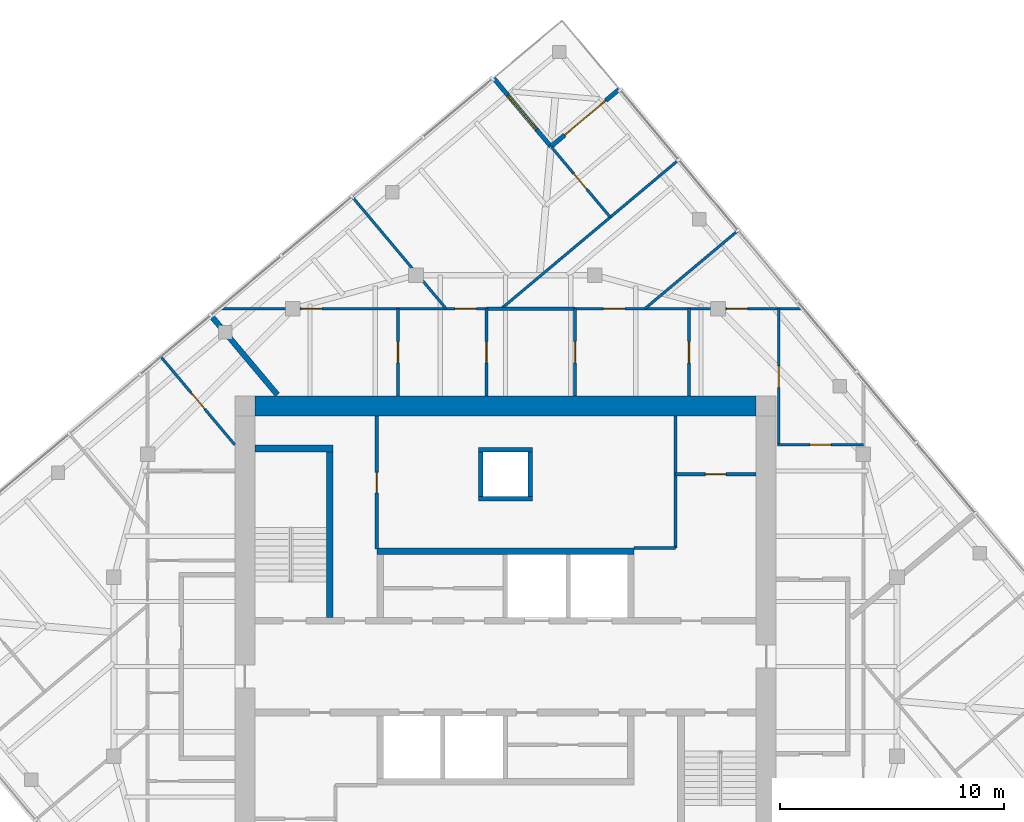
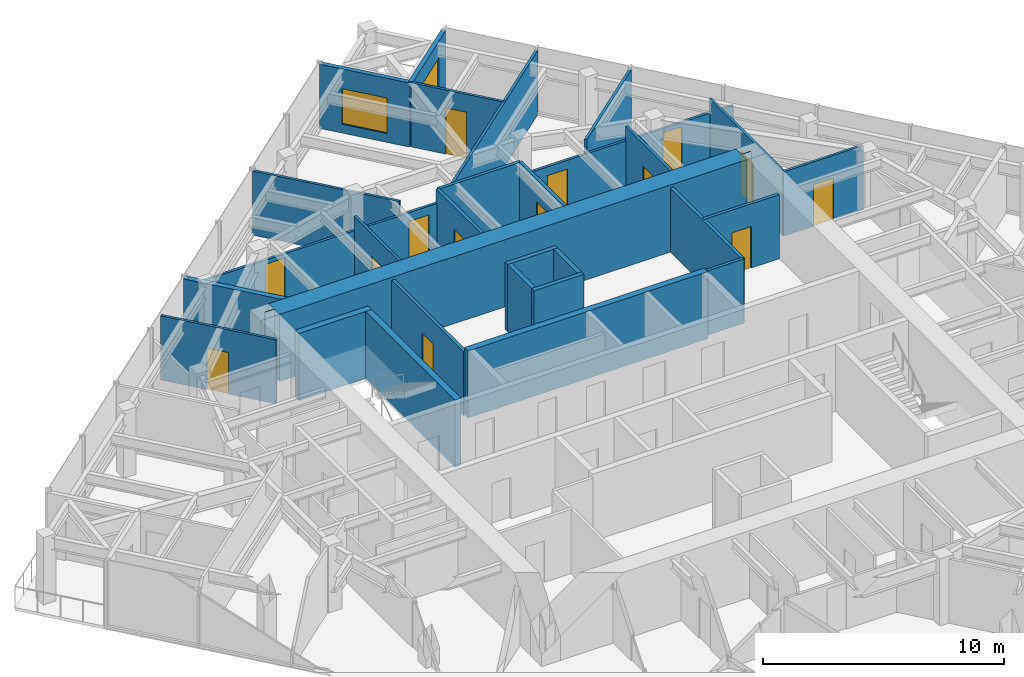
# One storey, part 10 of 12: 29 walls, 15 doors, 1 window, 16 openings.
"""IFC4 building model written with IfcOpenShell, lengths in metres."""

import ifcopenshell
import ifcopenshell.guid

model = None  # the IFC model being written
_history = None  # IfcOwnerHistory: only IFC2X3 demands one
_inside = {}  # id of a spatial element -> (the spatial element, [elements in it])
_under = {}  # id of a project, library or spatial element -> (it, [spatial elements below it])
_declared = {}  # id of a project -> (the project, [libraries it declares])
_typed = {}  # id of a type object -> (the type object, [elements of that type])
_made_of = {}  # id of a material, layer set ... -> (it, [elements and type objects made of it])


def new_model(schema):
    """Start an empty IFC model of exactly this schema.

    Asked for "IFC4X3", IfcOpenShell would pick the latest addendum, in which some entities
    have other attributes; the version numbers below select the first issue.
    IFC2X3 requires an IfcOwnerHistory on every rooted entity: one is made here for all.
    """
    global model, _history
    if schema == "IFC4X3":
        model = ifcopenshell.file(schema_version=(4, 3, 0, 0))
    else:
        model = ifcopenshell.file(schema=schema)
    _inside.clear()
    _under.clear()
    _declared.clear()
    _typed.clear()
    _made_of.clear()
    _history = None
    if model.schema == "IFC2X3":
        org = make("IfcOrganization", Name="unknown")
        user = make(
            "IfcPersonAndOrganization",
            ThePerson=make("IfcPerson", FamilyName="unknown"),
            TheOrganization=org,
        )
        app = make(
            "IfcApplication",
            ApplicationDeveloper=org,
            Version="unknown",
            ApplicationFullName="unknown",
            ApplicationIdentifier="unknown",
        )
        _history = make(
            "IfcOwnerHistory",
            OwningUser=user,
            OwningApplication=app,
            ChangeAction="ADDED",
            CreationDate=0,
        )
    return model


def make(cls, **values):
    """One entity of the class cls with the attributes given. An attribute that is None is left unset."""
    return model.create_entity(
        cls, **{name: value for name, value in values.items() if value is not None}
    )


def rooted(cls, **values):
    """An entity with a GlobalId (a new one), such as an element, a storey or a relation."""
    return make(cls, GlobalId=ifcopenshell.guid.new(), OwnerHistory=_history, **values)


def si_unit(unit_type, name, prefix=None):
    """IfcSIUnit, for example si_unit("LENGTHUNIT", "METRE", prefix="MILLI")."""
    return make("IfcSIUnit", UnitType=unit_type, Prefix=prefix, Name=name)


def assignment(units):
    """IfcUnitAssignment: the units of a project."""
    return None if units is None else make("IfcUnitAssignment", Units=units)


def point(xyz):
    """IfcCartesianPoint."""
    return None if xyz is None else make("IfcCartesianPoint", Coordinates=xyz)


def direction(xyz):
    """IfcDirection."""
    return None if xyz is None else make("IfcDirection", DirectionRatios=xyz)


def frame(location, z_axis=None, x_axis=None):
    """IfcAxis2Placement3D, a coordinate frame: its origin and axes. An axis left out is left unset."""
    return make(
        "IfcAxis2Placement3D",
        Location=point(location),
        Axis=direction(z_axis),
        RefDirection=direction(x_axis),
    )


def frame_2d(location, x_axis=None):
    """IfcAxis2Placement2D, a coordinate frame in the plane: its origin and x axis."""
    return make(
        "IfcAxis2Placement2D", Location=point(location), RefDirection=direction(x_axis)
    )


def origin():
    """The frame at (0, 0, 0) with its axes left unset."""
    return frame((0.0, 0.0, 0.0))


def place(relative_to, where):
    """IfcLocalPlacement: puts the frame where relative to a parent placement (None: the world)."""
    return make(
        "IfcLocalPlacement", PlacementRelTo=relative_to, RelativePlacement=where
    )


def context(
    kind, dimensions, precision=None, world=None, true_north=None, identifier=None
):
    """IfcGeometricRepresentationContext, for example the 3D "Model" context."""
    return make(
        "IfcGeometricRepresentationContext",
        ContextIdentifier=identifier,
        ContextType=kind,
        CoordinateSpaceDimension=dimensions,
        Precision=precision,
        WorldCoordinateSystem=world,
        TrueNorth=true_north,
    )


def subcontext(parent, identifier, kind, view, scale=None):
    """IfcGeometricRepresentationSubContext, for example "Body" below "Model"."""
    return make(
        "IfcGeometricRepresentationSubContext",
        ContextIdentifier=identifier,
        ContextType=kind,
        ParentContext=parent,
        TargetScale=scale,
        TargetView=view,
    )


def project(units=None, contexts=None):
    """IfcProject with its units and contexts."""
    return rooted(
        "IfcProject",
        Name="project",
        RepresentationContexts=contexts,
        UnitsInContext=assignment(units),
    )


def spatial(cls, under=None, at=None, **own):
    """A site, building, storey or space (cls), placed at a placement, below another one or the project."""
    s = rooted(cls, ObjectPlacement=at, **own)
    if under is not None:
        _under.setdefault(under.id(), (under, []))[1].append(s)
    return s


def polyline(points):
    """IfcPolyline through the points."""
    return make("IfcPolyline", Points=[point(p) for p in points])


def profile(cls, at=None, kind="AREA", **sizes):
    """A parametric profile (cls). Its sizes go by their IFC names, for example OverallWidth=200.0."""
    return make(cls, ProfileType=kind, Position=at, **sizes)


def rectangle(**sizes):
    """IfcRectangleProfileDef."""
    return profile("IfcRectangleProfileDef", **sizes)


def outline(outer, holes=None, kind="AREA"):
    """IfcArbitraryClosedProfileDef: a profile drawn as a closed curve; with holes, ...WithVoids."""
    if holes is None:
        return make("IfcArbitraryClosedProfileDef", ProfileType=kind, OuterCurve=outer)
    return make(
        "IfcArbitraryProfileDefWithVoids",
        ProfileType=kind,
        OuterCurve=outer,
        InnerCurves=holes,
    )


def extrude(swept, where, along, depth):
    """IfcExtrudedAreaSolid: the profile swept, set in the frame where, extruded along a direction by depth."""
    return make(
        "IfcExtrudedAreaSolid",
        SweptArea=swept,
        Position=where,
        ExtrudedDirection=direction(along),
        Depth=depth,
    )


def shape(context_of_items, identifier, shape_type, items):
    """IfcShapeRepresentation: the items that make up one representation, for example the "Body"."""
    return make(
        "IfcShapeRepresentation",
        ContextOfItems=context_of_items,
        RepresentationIdentifier=identifier,
        RepresentationType=shape_type,
        Items=items,
    )


def material(Name=None, Category=None):
    """IfcMaterial."""
    return make("IfcMaterial", Name=Name, Category=Category)


def layer(
    of_material, thickness, ventilated=None, Name=None, Category=None, Priority=None
):
    """IfcMaterialLayer: one layer of a wall or slab, of a material (None: an air gap)."""
    return make(
        "IfcMaterialLayer",
        Material=of_material,
        LayerThickness=thickness,
        IsVentilated=ventilated,
        Name=Name,
        Category=Category,
        Priority=Priority,
    )


def layer_set(layers, Name=None):
    """IfcMaterialLayerSet."""
    return make("IfcMaterialLayerSet", MaterialLayers=layers, LayerSetName=Name)


def made_of(thing, what):
    """Note that an element or type object is made of a material, layer set ...; save() writes the relation."""
    if what is not None:
        _made_of.setdefault(what.id(), (what, []))[1].append(thing)
    return thing


def type_object(cls, material=None, **own):
    """A type object (cls), such as IfcWallType, which elements share."""
    return made_of(rooted(cls, **own), material)


def element(
    cls,
    number,
    at=None,
    inside=None,
    cuts=None,
    type_object=None,
    material=None,
    context=None,
    identifier="Body",
    shape_type=None,
    held_by="IfcProductDefinitionShape",
    body=None,
    shapes=None,
    **own,
):
    """One element of the class cls, such as IfcWall. Its Tag is "e" and its number.

    at: its placement. inside: the storey or other place that contains it. cuts: it is an
    opening in that element (IfcRelVoidsElement). A single representation is given by context,
    identifier, shape_type and body (its items); several are given by shapes. held_by: the class
    of the entity that holds the representations. save() writes the other relations.
    """
    e = rooted(cls, Tag="e%d" % number, ObjectPlacement=at, **own)
    if body is not None:
        shapes = [shape(context, identifier, shape_type, body)]
    if shapes is not None:
        e.Representation = make(held_by, Representations=shapes)
    if inside is not None:
        _inside.setdefault(inside.id(), (inside, []))[1].append(e)
    if cuts is not None:
        rooted(
            "IfcRelVoidsElement", RelatingBuildingElement=cuts, RelatedOpeningElement=e
        )
    if type_object is not None:
        _typed.setdefault(type_object.id(), (type_object, []))[1].append(e)
    return made_of(e, material)


def fill(opening, filler):
    """IfcRelFillsElement: the door or window that sits in an opening."""
    return rooted(
        "IfcRelFillsElement",
        RelatingOpeningElement=opening,
        RelatedBuildingElement=filler,
    )


def aggregate(whole, parts):
    """IfcRelAggregates: a whole, such as a stair, and the parts it consists of."""
    return rooted("IfcRelAggregates", RelatingObject=whole, RelatedObjects=parts)


def save(model, path):
    """Write the relations noted so far, then the file.

    IfcRelAggregates (storeys below a building ...), IfcRelContainedInSpatialStructure (elements
    in a storey), IfcRelDefinesByType, IfcRelAssociatesMaterial and IfcRelDeclares: one each for
    every whole, place, type object, material and project.
    """
    for whole, parts in _under.values():
        aggregate(whole, parts)
    for where, things in _inside.values():
        rooted(
            "IfcRelContainedInSpatialStructure",
            RelatedElements=things,
            RelatingStructure=where,
        )
    for kind, things in _typed.values():
        rooted("IfcRelDefinesByType", RelatedObjects=things, RelatingType=kind)
    for what, things in _made_of.values():
        rooted("IfcRelAssociatesMaterial", RelatedObjects=things, RelatingMaterial=what)
    for by, libraries in _declared.values():
        rooted("IfcRelDeclares", RelatingContext=by, RelatedDefinitions=libraries)
    model.write(path)


model = new_model("IFC4")

# Units and contexts
model_context = context("Model", 3, precision=1e-05, world=origin(), true_north=direction((0.0, 1.0)))
body_context = subcontext(model_context, "Body", "Model", "MODEL_VIEW")
ifc_project = project(units=[si_unit("LENGTHUNIT", "METRE"), si_unit("AREAUNIT", "SQUARE_METRE"), si_unit("VOLUMEUNIT", "CUBIC_METRE"), si_unit("PLANEANGLEUNIT", "RADIAN"), si_unit("MASSUNIT", "GRAM", prefix="KILO")], contexts=[model_context])

# Site, building, storey
site_placement = place(None, origin())
site = spatial("IfcSite", under=ifc_project, at=site_placement, CompositionType="ELEMENT")
building_placement = place(site_placement, origin())
building = spatial("IfcBuilding", under=site, at=building_placement, Name="Torsade Residences", CompositionType="ELEMENT")
storey_placement = place(building_placement, frame((0.0, 0.0, 289.60009765625)))
storey = spatial("IfcBuildingStorey", under=building, at=storey_placement, Name="L80", CompositionType="ELEMENT", Elevation=289.60009765625)

# Walls
ifc_material_1 = material(Name="Concrete 80 MPa", Category="concrete")
ifc_layer_1 = layer(ifc_material_1, 0.300048828125)
ifc_layer_set_1 = layer_set([ifc_layer_1], Name="Concrete 80 MPa")
wall_type_1 = type_object("IfcWallType", Name="CORE INTERNAL WALL 300", PredefinedType="SHEAR", material=ifc_layer_set_1)
wall_1_placement = place(storey_placement, frame((34.25, 35.14990234375, 0.0), z_axis=(0.0, 0.0, 1.0), x_axis=(1.0, 0.0, 0.0)))
element("IfcWall", 1, at=wall_1_placement, inside=storey, type_object=wall_type_1, Name="Core wall BN L80", PredefinedType="SHEAR", context=body_context, shape_type="SweptSolid", body=[
    extrude(rectangle(XDim=11.5, YDim=0.300048828125, at=frame_2d((5.75, 0.0))), origin(), (0.0, 0.0, 1.0), 3.39990234375),
])
wall_2_placement = place(storey_placement, frame((32.14990234375, 32.199951171875, 0.0), z_axis=(0.0, 0.0, 1.0), x_axis=(0.0, 1.0, 0.0)))
element("IfcWall", 2, at=wall_2_placement, inside=storey, type_object=wall_type_1, Name="Core wall ST1E L80", PredefinedType="SHEAR", context=body_context, shape_type="SweptSolid", body=[
    extrude(rectangle(XDim=7.699951171875, YDim=0.300048828125, at=frame_2d((3.85009765625, 0.0))), origin(), (0.0, 0.0, 1.0), 3.39990234375),
])
wall_3_placement = place(storey_placement, frame((28.800048828125, 39.75, 0.0), z_axis=(0.0, 0.0, 1.0), x_axis=(1.0, 0.0, 0.0)))
element("IfcWall", 3, at=wall_3_placement, inside=storey, type_object=wall_type_1, Name="Core wall ST1N L80", PredefinedType="SHEAR", context=body_context, shape_type="SweptSolid", body=[
    extrude(rectangle(XDim=3.5, YDim=0.300048828125, at=frame_2d((1.75, 0.0))), origin(), (0.0, 0.0, 1.0), 3.39990234375),
])
ifc_material_2 = material(Name="Concrete 80 MPa", Category="concrete")
ifc_layer_2 = layer(ifc_material_2, 0.89990234375)
ifc_layer_set_2 = layer_set([ifc_layer_2], Name="Concrete 80 MPa")
wall_type_2 = type_object("IfcWallType", Name="CORE WALL 900", PredefinedType="SHEAR", material=ifc_layer_set_2)
wall_4_placement = place(storey_placement, frame((28.800048828125, 41.64990234375, 0.0), z_axis=(0.0, 0.0, 1.0), x_axis=(1.0, 0.0, 0.0)))
element("IfcWall", 4, at=wall_4_placement, inside=storey, type_object=wall_type_2, Name="Core wall N L80", PredefinedType="SHEAR", context=body_context, shape_type="SweptSolid", body=[
    extrude(outline(polyline([(0.0, -0.449951171875), (22.39990234375, -0.449951171875), (22.39990234375, -0.02490234375), (22.849853515625, -0.02490234375), (22.849853515625, 0.02490234375), (22.39990234375, 0.02490234375), (22.39990234375, 0.449951171875), (0.0, 0.449951171875), (0.0, 0.02490234375), (-0.449951171875, 0.02490234375), (-0.449951171875, -0.02490234375), (0.0, -0.02490234375), (0.0, -0.449951171875)])), origin(), (0.0, 0.0, 1.0), 3.39990234375),
])

# Wall, opening, door
ifc_material_3 = material(Name="Plasterboard on steel stud", Category="steel")
ifc_layer_3 = layer(ifc_material_3, 0.1201171875)
ifc_layer_set_3 = layer_set([ifc_layer_3], Name="Plasterboard on steel stud")
wall_type_3 = type_object("IfcWallType", Name="PARTITION 120", PredefinedType="PARTITIONING", material=ifc_layer_set_3)
wall_5_placement = place(storey_placement, frame((52.163330078125, 39.9140625, 0.0), z_axis=(0.0, 0.0, 1.0), x_axis=(1.0, 0.0, 0.0)))
wall_5 = element("IfcWall", 5, at=wall_5_placement, inside=storey, type_object=wall_type_3, Name="Partition L80", PredefinedType="PARTITIONING", context=body_context, shape_type="SweptSolid", body=[
    extrude(rectangle(XDim=3.836669921875, YDim=0.1201171875, at=frame_2d((1.91845703125, 0.0))), origin(), (0.0, 0.0, 1.0), 3.25),
])
opening_1_placement = place(wall_5_placement, frame((1.438232421875, 0.0, 0.0)))
opening_1 = element("IfcOpeningElement", 6, at=opening_1_placement, cuts=wall_5, Name="Opening D05", PredefinedType="OPENING", context=body_context, shape_type="SweptSolid", body=[
    extrude(rectangle(XDim=0.9599609375, YDim=2.10009765625, at=frame_2d((0.47998046875, 1.050048828125))), frame((0.0, 0.070068359375, 0.0), z_axis=(0.0, -1.0, 0.0), x_axis=(1.0, 0.0, 0.0)), (0.0, 0.0, 1.0), 0.14013671875),
])
ifc_material_4 = material(Name="Hollow-core timber door in a steel cavity frame", Category="steel")
door_type_1 = type_object("IfcDoorType", Name="BATHROOM CAVITY SLIDING DOOR 960", OperationType="SLIDING_TO_LEFT", PredefinedType="DOOR", material=ifc_material_4)
door_1_placement = place(opening_1_placement, origin())
door_1 = element("IfcDoor", 7, at=door_1_placement, inside=storey, type_object=door_type_1, Name="Door Kitchen and dining to Bathroom", OperationType="SLIDING_TO_LEFT", OverallHeight=2.10009765625, OverallWidth=0.9599609375, PredefinedType="DOOR", context=body_context, shape_type="SweptSolid", body=[
    extrude(rectangle(XDim=0.9599609375, YDim=2.10009765625, at=frame_2d((0.47998046875, 1.050048828125))), frame((0.0, 0.02490234375, 0.0), z_axis=(0.0, -1.0, 0.0), x_axis=(1.0, 0.0, 0.0)), (0.0, 0.0, 1.0), 0.050048828125),
])
fill(opening_1, door_1)

wall_6_placement = place(storey_placement, frame((52.21337890625, 39.9140625, 0.0), z_axis=(0.0, 0.0, 1.0), x_axis=(0.0, 1.0, 0.0)))
wall_6 = element("IfcWall", 8, at=wall_6_placement, inside=storey, type_object=wall_type_3, Name="Partition L80", PredefinedType="PARTITIONING", context=body_context, shape_type="SweptSolid", body=[
    extrude(rectangle(XDim=6.0859375, YDim=0.1201171875, at=frame_2d((3.04296875, 0.0))), origin(), (0.0, 0.0, 1.0), 3.25),
])
opening_2_placement = place(wall_6_placement, frame((2.56298828125, 0.0, 0.0)))
opening_2 = element("IfcOpeningElement", 9, at=opening_2_placement, cuts=wall_6, Name="Opening D05", PredefinedType="OPENING", context=body_context, shape_type="SweptSolid", body=[
    extrude(rectangle(XDim=0.9599609375, YDim=2.10009765625, at=frame_2d((0.47998046875, 1.050048828125))), frame((0.0, 0.070068359375, 0.0), z_axis=(0.0, -1.0, 0.0), x_axis=(1.0, 0.0, 0.0)), (0.0, 0.0, 1.0), 0.14013671875),
])
door_2_placement = place(opening_2_placement, origin())
door_2 = element("IfcDoor", 10, at=door_2_placement, inside=storey, type_object=door_type_1, Name="Door Bathroom to Dressing room", OperationType="SLIDING_TO_LEFT", OverallHeight=2.10009765625, OverallWidth=0.9599609375, PredefinedType="DOOR", context=body_context, shape_type="SweptSolid", body=[
    extrude(rectangle(XDim=0.9599609375, YDim=2.10009765625, at=frame_2d((0.47998046875, 1.050048828125))), frame((0.0, 0.02490234375, 0.0), z_axis=(0.0, -1.0, 0.0), x_axis=(1.0, 0.0, 0.0)), (0.0, 0.0, 1.0), 0.050048828125),
])
fill(opening_2, door_2)

# Wall, openings, doors
wall_7_placement = place(storey_placement, frame((43.110107421875, 46.0, 0.0), z_axis=(0.0, 0.0, 1.0), x_axis=(1.0, 0.0, 0.0)))
wall_7 = element("IfcWall", 11, at=wall_7_placement, inside=storey, type_object=wall_type_3, Name="Partition L80", PredefinedType="PARTITIONING", context=body_context, shape_type="SweptSolid", body=[
    extrude(rectangle(XDim=10.1728515625, YDim=0.1201171875, at=frame_2d((5.08642578125, 0.0))), origin(), (0.0, 0.0, 1.0), 2.5498046875),
])
opening_3_placement = place(wall_7_placement, frame((6.788330078125, 0.0, 0.0)))
opening_3 = element("IfcOpeningElement", 12, at=opening_3_placement, cuts=wall_7, Name="Opening D02", PredefinedType="OPENING", context=body_context, shape_type="SweptSolid", body=[
    extrude(rectangle(XDim=0.919921875, YDim=2.340087890625, at=frame_2d((0.4599609375, 1.169921875))), frame((0.0, 0.070068359375, 0.0), z_axis=(0.0, -1.0, 0.0), x_axis=(1.0, 0.0, 0.0)), (0.0, 0.0, 1.0), 0.14013671875),
])
opening_4_placement = place(wall_7_placement, frame((1.2705078125, 0.0, 0.0)))
opening_4 = element("IfcOpeningElement", 13, at=opening_4_placement, cuts=wall_7, Name="Opening D05", PredefinedType="OPENING", context=body_context, shape_type="SweptSolid", body=[
    extrude(rectangle(XDim=0.9599609375, YDim=2.10009765625, at=frame_2d((0.47998046875, 1.050048828125))), frame((0.0, 0.070068359375, 0.0), z_axis=(0.0, -1.0, 0.0), x_axis=(1.0, 0.0, 0.0)), (0.0, 0.0, 1.0), 0.14013671875),
])
door_3_placement = place(opening_4_placement, origin())
door_3 = element("IfcDoor", 14, at=door_3_placement, inside=storey, type_object=door_type_1, Name="Door Ensuite to Bedroom 1", OperationType="SLIDING_TO_LEFT", OverallHeight=2.10009765625, OverallWidth=0.9599609375, PredefinedType="DOOR", context=body_context, shape_type="SweptSolid", body=[
    extrude(rectangle(XDim=0.9599609375, YDim=2.10009765625, at=frame_2d((0.47998046875, 1.050048828125))), frame((0.0, 0.02490234375, 0.0), z_axis=(0.0, -1.0, 0.0), x_axis=(1.0, 0.0, 0.0)), (0.0, 0.0, 1.0), 0.050048828125),
])
fill(opening_4, door_3)
ifc_material_5 = material(Name="Hollow-core timber door", Category="wood")
door_type_2 = type_object("IfcDoorType", Name="INTERNAL DOOR 920x2340", OperationType="NOTDEFINED", PredefinedType="DOOR", material=ifc_material_5)
door_4_placement = place(opening_3_placement, origin())
door_4 = element("IfcDoor", 15, at=door_4_placement, inside=storey, type_object=door_type_2, Name="Door Dressing room to Bedroom 5", OperationType="SINGLE_SWING_LEFT", OverallHeight=2.340087890625, OverallWidth=0.919921875, PredefinedType="DOOR", context=body_context, shape_type="SweptSolid", body=[
    extrude(rectangle(XDim=0.919921875, YDim=2.340087890625, at=frame_2d((0.4599609375, 1.169921875))), frame((0.0, 0.02490234375, 0.0), z_axis=(0.0, -1.0, 0.0), x_axis=(1.0, 0.0, 0.0)), (0.0, 0.0, 1.0), 0.050048828125),
])
fill(opening_3, door_4)

# Wall, opening, door
wall_8_placement = place(storey_placement, frame((48.203369140625, 42.10009765625, 0.0), z_axis=(0.0, 0.0, 1.0), x_axis=(0.0, 1.0, 0.0)))
wall_8 = element("IfcWall", 16, at=wall_8_placement, inside=storey, type_object=wall_type_3, Name="Partition L80", PredefinedType="PARTITIONING", context=body_context, shape_type="SweptSolid", body=[
    extrude(rectangle(XDim=3.89990234375, YDim=0.1201171875, at=frame_2d((1.949951171875, 0.0))), origin(), (0.0, 0.0, 1.0), 3.25),
])
opening_5_placement = place(wall_8_placement, frame((1.469970703125, 0.0, 0.0)))
opening_5 = element("IfcOpeningElement", 17, at=opening_5_placement, cuts=wall_8, Name="Opening D05", PredefinedType="OPENING", context=body_context, shape_type="SweptSolid", body=[
    extrude(rectangle(XDim=0.9599609375, YDim=2.10009765625, at=frame_2d((0.47998046875, 1.050048828125))), frame((0.0, 0.070068359375, 0.0), z_axis=(0.0, -1.0, 0.0), x_axis=(1.0, 0.0, 0.0)), (0.0, 0.0, 1.0), 0.14013671875),
])
door_5_placement = place(opening_5_placement, origin())
door_5 = element("IfcDoor", 18, at=door_5_placement, inside=storey, type_object=door_type_1, Name="Door Dressing room to Ensuite", OperationType="SLIDING_TO_LEFT", OverallHeight=2.10009765625, OverallWidth=0.9599609375, PredefinedType="DOOR", context=body_context, shape_type="SweptSolid", body=[
    extrude(rectangle(XDim=0.9599609375, YDim=2.10009765625, at=frame_2d((0.47998046875, 1.050048828125))), frame((0.0, 0.02490234375, 0.0), z_axis=(0.0, -1.0, 0.0), x_axis=(1.0, 0.0, 0.0)), (0.0, 0.0, 1.0), 0.050048828125),
])
fill(opening_5, door_5)

wall_9_placement = place(storey_placement, frame((35.195068359375, 42.10009765625, 0.0), z_axis=(0.0, 0.0, 1.0), x_axis=(0.0, 1.0, 0.0)))
wall_9 = element("IfcWall", 19, at=wall_9_placement, inside=storey, type_object=wall_type_3, Name="Partition L80", PredefinedType="PARTITIONING", context=body_context, shape_type="SweptSolid", body=[
    extrude(rectangle(XDim=3.89990234375, YDim=0.1201171875, at=frame_2d((1.949951171875, 0.0))), origin(), (0.0, 0.0, 1.0), 3.25),
])
opening_6_placement = place(wall_9_placement, frame((1.469970703125, 0.0, 0.0)))
opening_6 = element("IfcOpeningElement", 20, at=opening_6_placement, cuts=wall_9, Name="Opening D05", PredefinedType="OPENING", context=body_context, shape_type="SweptSolid", body=[
    extrude(rectangle(XDim=0.9599609375, YDim=2.10009765625, at=frame_2d((0.47998046875, 1.050048828125))), frame((0.0, 0.070068359375, 0.0), z_axis=(0.0, -1.0, 0.0), x_axis=(1.0, 0.0, 0.0)), (0.0, 0.0, 1.0), 0.14013671875),
])
door_6_placement = place(opening_6_placement, origin())
door_6 = element("IfcDoor", 21, at=door_6_placement, inside=storey, type_object=door_type_1, Name="Door Laundry to Study", OperationType="SLIDING_TO_LEFT", OverallHeight=2.10009765625, OverallWidth=0.9599609375, PredefinedType="DOOR", context=body_context, shape_type="SweptSolid", body=[
    extrude(rectangle(XDim=0.9599609375, YDim=2.10009765625, at=frame_2d((0.47998046875, 1.050048828125))), frame((0.0, 0.02490234375, 0.0), z_axis=(0.0, -1.0, 0.0), x_axis=(1.0, 0.0, 0.0)), (0.0, 0.0, 1.0), 0.050048828125),
])
fill(opening_6, door_6)

# Wall, openings, doors
wall_10_placement = place(storey_placement, frame((27.238037109375, 46.0, 0.0), z_axis=(0.0, 0.0, 1.0), x_axis=(1.0, 0.0, 0.0)))
wall_10 = element("IfcWall", 22, at=wall_10_placement, inside=storey, type_object=wall_type_3, Name="Partition L80", PredefinedType="PARTITIONING", context=body_context, shape_type="SweptSolid", body=[
    extrude(rectangle(XDim=11.91455078125, YDim=0.1201171875, at=frame_2d((5.957275390625, 0.0))), origin(), (0.0, 0.0, 1.0), 2.5498046875),
])
opening_7_placement = place(wall_10_placement, frame((3.637451171875, 0.0, 0.0)))
opening_7 = element("IfcOpeningElement", 23, at=opening_7_placement, cuts=wall_10, Name="Opening D02", PredefinedType="OPENING", context=body_context, shape_type="SweptSolid", body=[
    extrude(rectangle(XDim=0.919921875, YDim=2.340087890625, at=frame_2d((0.4599609375, 1.169921875))), frame((0.0, 0.070068359375, 0.0), z_axis=(0.0, -1.0, 0.0), x_axis=(1.0, 0.0, 0.0)), (0.0, 0.0, 1.0), 0.14013671875),
])
opening_8_placement = place(wall_10_placement, frame((10.497802734375, 0.0, 0.0)))
opening_8 = element("IfcOpeningElement", 24, at=opening_8_placement, cuts=wall_10, Name="Opening D05", PredefinedType="OPENING", context=body_context, shape_type="SweptSolid", body=[
    extrude(rectangle(XDim=0.9599609375, YDim=2.10009765625, at=frame_2d((0.47998046875, 1.050048828125))), frame((0.0, 0.070068359375, 0.0), z_axis=(0.0, -1.0, 0.0), x_axis=(1.0, 0.0, 0.0)), (0.0, 0.0, 1.0), 0.14013671875),
])
door_7_placement = place(opening_8_placement, origin())
door_7 = element("IfcDoor", 25, at=door_7_placement, inside=storey, type_object=door_type_1, Name="Door Laundry to Living room", OperationType="SLIDING_TO_LEFT", OverallHeight=2.10009765625, OverallWidth=0.9599609375, PredefinedType="DOOR", context=body_context, shape_type="SweptSolid", body=[
    extrude(rectangle(XDim=0.9599609375, YDim=2.10009765625, at=frame_2d((0.47998046875, 1.050048828125))), frame((0.0, 0.02490234375, 0.0), z_axis=(0.0, -1.0, 0.0), x_axis=(1.0, 0.0, 0.0)), (0.0, 0.0, 1.0), 0.050048828125),
])
fill(opening_8, door_7)
door_8_placement = place(opening_7_placement, origin())
door_8 = element("IfcDoor", 26, at=door_8_placement, inside=storey, type_object=door_type_2, Name="Door Study to Bedroom 2", OperationType="SINGLE_SWING_LEFT", OverallHeight=2.340087890625, OverallWidth=0.919921875, PredefinedType="DOOR", context=body_context, shape_type="SweptSolid", body=[
    extrude(rectangle(XDim=0.919921875, YDim=2.340087890625, at=frame_2d((0.4599609375, 1.169921875))), frame((0.0, 0.02490234375, 0.0), z_axis=(0.0, -1.0, 0.0), x_axis=(1.0, 0.0, 0.0)), (0.0, 0.0, 1.0), 0.050048828125),
])
fill(opening_7, door_8)

# Walls
wall_11_placement = place(storey_placement, frame((47.71875, 52.631103515625, 0.0), z_axis=(0.0, 0.0, 1.0), x_axis=(-0.766052076481, -0.64277851249, 0.0)))
element("IfcWall", 27, at=wall_11_placement, inside=storey, type_object=wall_type_3, Name="Partition L80", PredefinedType="PARTITIONING", context=body_context, shape_type="SweptSolid", body=[
    extrude(rectangle(XDim=10.31640625, YDim=0.1201171875, at=frame_2d((5.158203125, 0.0))), origin(), (0.0, 0.0, 1.0), 3.25),
])
wall_12_placement = place(storey_placement, frame((37.343994140625, 46.0, 0.0), z_axis=(0.0, 0.0, 1.0), x_axis=(-0.642779498388, 0.766051249233, 0.0)))
element("IfcWall", 28, at=wall_12_placement, inside=storey, type_object=wall_type_3, Name="Partition L80", PredefinedType="PARTITIONING", context=body_context, shape_type="SweptSolid", body=[
    extrude(rectangle(XDim=6.49609375, YDim=0.1201171875, at=frame_2d((3.248046875, 0.0))), origin(), (0.0, 0.0, 1.0), 3.25),
])

# Wall, opening, door
wall_13_placement = place(storey_placement, frame((42.0595703125, 53.215087890625, 0.0), z_axis=(0.0, 0.0, 1.0), x_axis=(0.642796729538, -0.766036790562, 0.0)))
wall_13 = element("IfcWall", 29, at=wall_13_placement, inside=storey, type_object=wall_type_3, Name="Partition L80", PredefinedType="PARTITIONING", context=body_context, shape_type="SweptSolid", body=[
    extrude(rectangle(XDim=4.0849609375, YDim=0.1201171875, at=frame_2d((2.04248046875, 0.0))), origin(), (0.0, 0.0, 1.0), 3.25),
])
opening_9_placement = place(wall_13_placement, frame((1.53759765625, 0.0, 0.0)))
opening_9 = element("IfcOpeningElement", 30, at=opening_9_placement, cuts=wall_13, Name="Opening D02", PredefinedType="OPENING", context=body_context, shape_type="SweptSolid", body=[
    extrude(rectangle(XDim=0.919921875, YDim=2.340087890625, at=frame_2d((0.4599609375, 1.169921875))), frame((0.0, 0.070068359375, 0.0), z_axis=(0.0, -1.0, 0.0), x_axis=(1.0, 0.0, 0.0)), (0.0, 0.0, 1.0), 0.14013671875),
])
door_9_placement = place(opening_9_placement, origin())
door_9 = element("IfcDoor", 31, at=door_9_placement, inside=storey, type_object=door_type_2, Name="Door Living room to Bedroom 4", OperationType="SINGLE_SWING_RIGHT", OverallHeight=2.340087890625, OverallWidth=0.919921875, PredefinedType="DOOR", context=body_context, shape_type="SweptSolid", body=[
    extrude(rectangle(XDim=0.919921875, YDim=2.340087890625, at=frame_2d((0.4599609375, 1.169921875))), frame((0.0, 0.02490234375, 0.0), z_axis=(0.0, -1.0, 0.0), x_axis=(1.0, 0.0, 0.0)), (0.0, 0.0, 1.0), 0.050048828125),
])
fill(opening_9, door_9)

# Wall
wall_14_placement = place(storey_placement, frame((50.370361328125, 49.47119140625, 0.0), z_axis=(0.0, 0.0, 1.0), x_axis=(-0.766056536168, -0.642773197476, 0.0)))
element("IfcWall", 32, at=wall_14_placement, inside=storey, type_object=wall_type_3, Name="Partition L80", PredefinedType="PARTITIONING", context=body_context, shape_type="SweptSolid", body=[
    extrude(rectangle(XDim=5.400390625, YDim=0.1201171875, at=frame_2d((2.7001953125, 0.0))), origin(), (0.0, 0.0, 1.0), 3.25),
])

# Wall, opening, door
wall_15_placement = place(storey_placement, frame((27.89990234375, 39.91259765625, 0.0), z_axis=(0.0, 0.0, 1.0), x_axis=(-0.64279031777, 0.766042170759, 0.0)))
wall_15 = element("IfcWall", 33, at=wall_15_placement, inside=storey, type_object=wall_type_3, Name="Partition L80", PredefinedType="PARTITIONING", context=body_context, shape_type="SweptSolid", body=[
    extrude(rectangle(XDim=5.0888671875, YDim=0.1201171875, at=frame_2d((2.54443359375, 0.0))), origin(), (0.0, 0.0, 1.0), 3.25),
])
opening_10_placement = place(wall_15_placement, frame((2.08447265625, 0.0, 0.0)))
opening_10 = element("IfcOpeningElement", 34, at=opening_10_placement, cuts=wall_15, Name="Opening D05", PredefinedType="OPENING", context=body_context, shape_type="SweptSolid", body=[
    extrude(rectangle(XDim=0.9599609375, YDim=2.10009765625, at=frame_2d((0.47998046875, 1.050048828125))), frame((0.0, 0.070068359375, 0.0), z_axis=(0.0, -1.0, 0.0), x_axis=(1.0, 0.0, 0.0)), (0.0, 0.0, 1.0), 0.14013671875),
])
door_10_placement = place(opening_10_placement, origin())
door_10 = element("IfcDoor", 35, at=door_10_placement, inside=storey, type_object=door_type_1, Name="Door Dressing room to Ensuite", OperationType="SLIDING_TO_LEFT", OverallHeight=2.10009765625, OverallWidth=0.9599609375, PredefinedType="DOOR", context=body_context, shape_type="SweptSolid", body=[
    extrude(rectangle(XDim=0.9599609375, YDim=2.10009765625, at=frame_2d((0.47998046875, 1.050048828125))), frame((0.0, 0.02490234375, 0.0), z_axis=(0.0, -1.0, 0.0), x_axis=(1.0, 0.0, 0.0)), (0.0, 0.0, 1.0), 0.050048828125),
])
fill(opening_10, door_10)

# Walls
ifc_material_6 = material(Name="Masonry-lined stud party wall", Category="masonry")
ifc_layer_4 = layer(ifc_material_6, 0.25)
ifc_layer_set_4 = layer_set([ifc_layer_4], Name="Masonry-lined stud party wall")
wall_type_4 = type_object("IfcWallType", Name="PARTY WALL 250", PredefinedType="PARTITIONING", material=ifc_layer_set_4)
wall_16_placement = place(storey_placement, frame((26.82275390625, 45.703857421875, 0.0), z_axis=(0.0, 0.0, 1.0), x_axis=(0.64279957712, -0.76603440109, 0.0)))
element("IfcWall", 36, at=wall_16_placement, inside=storey, type_object=wall_type_4, Name="Party wall L80", PredefinedType="PARTITIONING", context=body_context, shape_type="SweptSolid", body=[
    extrude(rectangle(XDim=4.6396484375, YDim=0.25, at=frame_2d((2.31982421875, 0.0))), origin(), (0.0, 0.0, 1.0), 3.25),
])
ifc_material_7 = material(Name="Reinforced blockwork", Category="masonry")
ifc_layer_5 = layer(ifc_material_7, 0.199951171875)
ifc_layer_set_5 = layer_set([ifc_layer_5], Name="Reinforced blockwork")
wall_type_5 = type_object("IfcWallType", Name="RISER SHAFT WALL 200", PredefinedType="SOLIDWALL", material=ifc_layer_set_5)
for number, where, z_axis, x_axis, name in (
    (37, (38.89990234375, 37.60009765625, 0.0), (0.0, 0.0, 1.0), (0.0, 1.0, 0.0), "Core wall RS1a L80"),
    (38, (41.10009765625, 37.60009765625, 0.0), (0.0, 0.0, 1.0), (0.0, 1.0, 0.0), "Core wall RS1b L80"),
):
    element("IfcWall", number, at=place(storey_placement, frame(where, z_axis=z_axis, x_axis=x_axis)), inside=storey, type_object=wall_type_5, Name=name, PredefinedType="SOLIDWALL", context=body_context, shape_type="SweptSolid", body=[
        extrude(rectangle(XDim=2.0, YDim=0.199951171875, at=frame_2d((1.0, 0.0))), origin(), (0.0, 0.0, 1.0), 3.39990234375),
    ])
for number, where, z_axis, x_axis, name in (
    (39, (38.800048828125, 37.5, 0.0), (0.0, 0.0, 1.0), (1.0, 0.0, 0.0), "Core wall RS1c L80"),
    (40, (38.800048828125, 39.699951171875, 0.0), (0.0, 0.0, 1.0), (1.0, 0.0, 0.0), "Core wall RS1d L80"),
):
    element("IfcWall", number, at=place(storey_placement, frame(where, z_axis=z_axis, x_axis=x_axis)), inside=storey, type_object=wall_type_5, Name=name, PredefinedType="SOLIDWALL", context=body_context, shape_type="SweptSolid", body=[
        extrude(rectangle(XDim=2.39990234375, YDim=0.199951171875, at=frame_2d((1.199951171875, 0.0))), origin(), (0.0, 0.0, 1.0), 3.39990234375),
    ])

# Wall, opening, door
ifc_material_8 = material(Name="Reinforced blockwork", Category="masonry")
ifc_layer_6 = layer(ifc_material_8, 0.14990234375)
ifc_layer_set_6 = layer_set([ifc_layer_6], Name="Reinforced blockwork")
wall_type_6 = type_object("IfcWallType", Name="SERVICE ROOM WALL 150", PredefinedType="SOLIDWALL", material=ifc_layer_set_6)
wall_17_placement = place(storey_placement, frame((34.25, 41.199951171875, 0.0), z_axis=(0.0, 0.0, 1.0), x_axis=(0.0, -1.0, 0.0)))
wall_17 = element("IfcWall", 41, at=wall_17_placement, inside=storey, type_object=wall_type_6, Name="Service room wall L80", PredefinedType="SOLIDWALL", context=body_context, shape_type="SweptSolid", body=[
    extrude(rectangle(XDim=5.949951171875, YDim=0.14990234375, at=frame_2d((2.97509765625, 0.0))), origin(), (0.0, 0.0, 1.0), 3.25),
])
opening_11_placement = place(wall_17_placement, frame((2.514892578125, 0.0, 0.0)))
opening_11 = element("IfcOpeningElement", 42, at=opening_11_placement, cuts=wall_17, Name="Opening D06", PredefinedType="OPENING", context=body_context, shape_type="SweptSolid", body=[
    extrude(rectangle(XDim=0.919921875, YDim=2.10009765625, at=frame_2d((0.4599609375, 1.050048828125))), frame((0.0, 0.0849609375, 0.0), z_axis=(0.0, -1.0, 0.0), x_axis=(1.0, 0.0, 0.0)), (0.0, 0.0, 1.0), 0.169921875),
])
ifc_material_9 = material(Name="Steel-framed fire door", Category="steel")
door_type_3 = type_object("IfcDoorType", Name="FIRE DOOR 920", OperationType="NOTDEFINED", PredefinedType="DOOR", material=ifc_material_9)
door_11_placement = place(opening_11_placement, origin())
door_11 = element("IfcDoor", 43, at=door_11_placement, inside=storey, type_object=door_type_3, Name="Door Meter store to Electrical riser room", OperationType="SINGLE_SWING_RIGHT", OverallHeight=2.10009765625, OverallWidth=0.919921875, PredefinedType="DOOR", context=body_context, shape_type="SweptSolid", body=[
    extrude(rectangle(XDim=0.919921875, YDim=2.10009765625, at=frame_2d((0.4599609375, 1.050048828125))), frame((0.0, 0.02490234375, 0.0), z_axis=(0.0, -1.0, 0.0), x_axis=(1.0, 0.0, 0.0)), (0.0, 0.0, 1.0), 0.050048828125),
])
fill(opening_11, door_11)

# Walls
wall_18_placement = place(storey_placement, frame((47.60009765625, 41.199951171875, 0.0), z_axis=(0.0, 0.0, 1.0), x_axis=(0.0, -1.0, 0.0)))
element("IfcWall", 44, at=wall_18_placement, inside=storey, type_object=wall_type_6, Name="Service room wall L80", PredefinedType="SOLIDWALL", context=body_context, shape_type="SweptSolid", body=[
    extrude(rectangle(XDim=5.89990234375, YDim=0.14990234375, at=frame_2d((2.949951171875, 0.0))), origin(), (0.0, 0.0, 1.0), 3.25),
])
wall_19_placement = place(storey_placement, frame((47.60009765625, 35.300048828125, 0.0), z_axis=(0.0, 0.0, 1.0), x_axis=(-1.0, 0.0, 0.0)))
element("IfcWall", 45, at=wall_19_placement, inside=storey, type_object=wall_type_6, Name="Service room wall L80", PredefinedType="SOLIDWALL", context=body_context, shape_type="SweptSolid", body=[
    extrude(rectangle(XDim=1.85009765625, YDim=0.14990234375, at=frame_2d((0.925048828125, 0.0))), origin(), (0.0, 0.0, 1.0), 3.25),
])

# Wall, opening, door
wall_20_placement = place(storey_placement, frame((47.60009765625, 38.60009765625, 0.0), z_axis=(0.0, 0.0, 1.0), x_axis=(1.0, 0.0, 0.0)))
wall_20 = element("IfcWall", 46, at=wall_20_placement, inside=storey, type_object=wall_type_6, Name="Service room wall L80", PredefinedType="SOLIDWALL", context=body_context, shape_type="SweptSolid", body=[
    extrude(rectangle(XDim=3.599853515625, YDim=0.14990234375, at=frame_2d((1.7998046875, 0.0))), origin(), (0.0, 0.0, 1.0), 3.25),
])
opening_12_placement = place(wall_20_placement, frame((1.340087890625, 0.0, 0.0)))
opening_12 = element("IfcOpeningElement", 47, at=opening_12_placement, cuts=wall_20, Name="Opening D06", PredefinedType="OPENING", context=body_context, shape_type="SweptSolid", body=[
    extrude(rectangle(XDim=0.919921875, YDim=2.10009765625, at=frame_2d((0.4599609375, 1.050048828125))), frame((0.0, 0.0849609375, 0.0), z_axis=(0.0, -1.0, 0.0), x_axis=(1.0, 0.0, 0.0)), (0.0, 0.0, 1.0), 0.169921875),
])
door_12_placement = place(opening_12_placement, origin())
door_12 = element("IfcDoor", 48, at=door_12_placement, inside=storey, type_object=door_type_3, Name="Door Refuse room to Linen store", OperationType="SINGLE_SWING_LEFT", OverallHeight=2.10009765625, OverallWidth=0.919921875, PredefinedType="DOOR", context=body_context, shape_type="SweptSolid", body=[
    extrude(rectangle(XDim=0.919921875, YDim=2.10009765625, at=frame_2d((0.4599609375, 1.050048828125))), frame((0.0, 0.02490234375, 0.0), z_axis=(0.0, -1.0, 0.0), x_axis=(1.0, 0.0, 0.0)), (0.0, 0.0, 1.0), 0.050048828125),
])
fill(opening_12, door_12)

wall_21_placement = place(storey_placement, frame((43.110107421875, 42.10009765625, 0.0), z_axis=(0.0, 0.0, 1.0), x_axis=(0.0, 1.0, 0.0)))
wall_21 = element("IfcWall", 49, at=wall_21_placement, inside=storey, type_object=wall_type_6, Name="Service room wall L80", PredefinedType="SOLIDWALL", context=body_context, shape_type="SweptSolid", body=[
    extrude(rectangle(XDim=3.89990234375, YDim=0.14990234375, at=frame_2d((1.949951171875, 0.0))), origin(), (0.0, 0.0, 1.0), 3.25),
])
opening_13_placement = place(wall_21_placement, frame((1.469970703125, 0.0, 0.0)))
opening_13 = element("IfcOpeningElement", 50, at=opening_13_placement, cuts=wall_21, Name="Opening D05", PredefinedType="OPENING", context=body_context, shape_type="SweptSolid", body=[
    extrude(rectangle(XDim=0.9599609375, YDim=2.10009765625, at=frame_2d((0.47998046875, 1.050048828125))), frame((0.0, 0.0849609375, 0.0), z_axis=(0.0, -1.0, 0.0), x_axis=(1.0, 0.0, 0.0)), (0.0, 0.0, 1.0), 0.169921875),
])
door_13_placement = place(opening_13_placement, origin())
door_13 = element("IfcDoor", 51, at=door_13_placement, inside=storey, type_object=door_type_1, Name="Door Ensuite to Linen store", OperationType="SLIDING_TO_LEFT", OverallHeight=2.10009765625, OverallWidth=0.9599609375, PredefinedType="DOOR", context=body_context, shape_type="SweptSolid", body=[
    extrude(rectangle(XDim=0.9599609375, YDim=2.10009765625, at=frame_2d((0.47998046875, 1.050048828125))), frame((0.0, 0.02490234375, 0.0), z_axis=(0.0, -1.0, 0.0), x_axis=(1.0, 0.0, 0.0)), (0.0, 0.0, 1.0), 0.050048828125),
])
fill(opening_13, door_13)

wall_22_placement = place(storey_placement, frame((39.152587890625, 46.0, 0.0), z_axis=(0.0, 0.0, 1.0), x_axis=(0.0, -1.0, 0.0)))
wall_22 = element("IfcWall", 52, at=wall_22_placement, inside=storey, type_object=wall_type_6, Name="Service room wall L80", PredefinedType="SOLIDWALL", context=body_context, shape_type="SweptSolid", body=[
    extrude(rectangle(XDim=3.89990234375, YDim=0.14990234375, at=frame_2d((1.949951171875, 0.0))), origin(), (0.0, 0.0, 1.0), 3.25),
])
opening_14_placement = place(wall_22_placement, frame((1.469970703125, 0.0, 0.0)))
opening_14 = element("IfcOpeningElement", 53, at=opening_14_placement, cuts=wall_22, Name="Opening D05", PredefinedType="OPENING", context=body_context, shape_type="SweptSolid", body=[
    extrude(rectangle(XDim=0.9599609375, YDim=2.10009765625, at=frame_2d((0.47998046875, 1.050048828125))), frame((0.0, 0.0849609375, 0.0), z_axis=(0.0, -1.0, 0.0), x_axis=(1.0, 0.0, 0.0)), (0.0, 0.0, 1.0), 0.169921875),
])
door_14_placement = place(opening_14_placement, origin())
door_14 = element("IfcDoor", 54, at=door_14_placement, inside=storey, type_object=door_type_1, Name="Door Linen store to Laundry", OperationType="SLIDING_TO_LEFT", OverallHeight=2.10009765625, OverallWidth=0.9599609375, PredefinedType="DOOR", context=body_context, shape_type="SweptSolid", body=[
    extrude(rectangle(XDim=0.9599609375, YDim=2.10009765625, at=frame_2d((0.47998046875, 1.050048828125))), frame((0.0, 0.02490234375, 0.0), z_axis=(0.0, -1.0, 0.0), x_axis=(1.0, 0.0, 0.0)), (0.0, 0.0, 1.0), 0.050048828125),
])
fill(opening_14, door_14)

# Wall
wall_23_placement = place(storey_placement, frame((39.152587890625, 46.0, 0.0), z_axis=(0.0, 0.0, 1.0), x_axis=(1.0, 0.0, 0.0)))
element("IfcWall", 55, at=wall_23_placement, inside=storey, type_object=wall_type_6, Name="Service room wall L80", PredefinedType="SOLIDWALL", context=body_context, shape_type="SweptSolid", body=[
    extrude(rectangle(XDim=3.95751953125, YDim=0.14990234375, at=frame_2d((1.978759765625, 0.0))), origin(), (0.0, 0.0, 1.0), 3.25),
])

# Wall, opening, door
ifc_material_10 = material(Name="Stone-faced precast concrete 40 MPa panel", Category="masonry")
ifc_layer_7 = layer(ifc_material_10, 0.199951171875)
ifc_layer_set_7 = layer_set([ifc_layer_7], Name="Stone-faced precast concrete 40 MPa panel")
wall_type_7 = type_object("IfcWallType", Name="TERRACE WALL 200", PredefinedType="SOLIDWALL", material=ifc_layer_set_7)
wall_24_placement = place(storey_placement, frame((45.097900390625, 55.81689453125, 0.0), z_axis=(0.0, 0.0, 1.0), x_axis=(-0.766060656284, -0.642768287094, 0.0)))
wall_24 = element("IfcWall", 56, at=wall_24_placement, inside=storey, type_object=wall_type_7, Name="Terrace wall L80 5", PredefinedType="SOLIDWALL", context=body_context, shape_type="SweptSolid", body=[
    extrude(rectangle(XDim=4.0, YDim=0.199951171875, at=frame_2d((2.0, 0.0))), origin(), (0.0, 0.0, 1.0), 3.25),
])
opening_15_placement = place(wall_24_placement, frame((0.800048828125, 0.0, 0.0)))
opening_15 = element("IfcOpeningElement", 57, at=opening_15_placement, cuts=wall_24, Name="Opening D10", PredefinedType="OPENING", context=body_context, shape_type="SweptSolid", body=[
    extrude(rectangle(XDim=2.39990234375, YDim=2.39990234375, at=frame_2d((1.199951171875, 1.199951171875))), frame((0.0, 0.10986328125, 0.0), z_axis=(0.0, -1.0, 0.0), x_axis=(1.0, 0.0, 0.0)), (0.0, 0.0, 1.0), 0.219970703125),
])
ifc_material_11 = material(Name="Aluminium-framed glass door", Category="aluminium")
door_type_4 = type_object("IfcDoorType", Name="TERRACE SLIDING DOOR 2400", OperationType="SLIDING_TO_LEFT", PredefinedType="DOOR", material=ifc_material_11)
door_15_placement = place(opening_15_placement, origin())
door_15 = element("IfcDoor", 58, at=door_15_placement, inside=storey, type_object=door_type_4, Name="Terrace door L80 5", OperationType="SLIDING_TO_LEFT", OverallHeight=2.39990234375, OverallWidth=2.39990234375, PredefinedType="DOOR", context=body_context, shape_type="SweptSolid", body=[
    extrude(rectangle(XDim=2.39990234375, YDim=2.39990234375, at=frame_2d((1.199951171875, 1.199951171875))), frame((0.0, 0.02490234375, 0.0), z_axis=(0.0, -1.0, 0.0), x_axis=(1.0, 0.0, 0.0)), (0.0, 0.0, 1.0), 0.050048828125),
])
fill(opening_15, door_15)

# Wall, opening, window
wall_25_placement = place(storey_placement, frame((42.03369140625, 53.245849609375, 0.0), z_axis=(0.0, 0.0, 1.0), x_axis=(-0.642798342015, 0.766035437498, 0.0)))
wall_25 = element("IfcWall", 59, at=wall_25_placement, inside=storey, type_object=wall_type_7, Name="Terrace wall L80 6", PredefinedType="SOLIDWALL", context=body_context, shape_type="SweptSolid", body=[
    extrude(rectangle(XDim=3.999755859375, YDim=0.199951171875, at=frame_2d((2.0, 0.0))), origin(), (0.0, 0.0, 1.0), 3.25),
])
opening_16_placement = place(wall_25_placement, frame((1.0, 0.0, 0.449951171875)))
opening_16 = element("IfcOpeningElement", 60, at=opening_16_placement, cuts=wall_25, Name="Opening W1B", PredefinedType="OPENING", context=body_context, shape_type="SweptSolid", body=[
    extrude(rectangle(XDim=2.0, YDim=1.800048828125, at=frame_2d((1.0, 0.89990234375))), frame((0.0, 0.10986328125, 0.0), z_axis=(0.0, -1.0, 0.0), x_axis=(1.0, 0.0, 0.0)), (0.0, 0.0, 1.0), 0.219970703125),
])
ifc_material_12 = material(Name="Aluminium-framed glass window", Category="aluminium")
window_type = type_object("IfcWindowType", Name="TERRACE WINDOW 2000x1800", PartitioningType="SINGLE_PANEL", PredefinedType="WINDOW", material=ifc_material_12)
window_placement = place(opening_16_placement, origin())
window = element("IfcWindow", 61, at=window_placement, inside=storey, type_object=window_type, Name="Terrace window L80 6", OverallHeight=1.800048828125, OverallWidth=2.0, PartitioningType="SINGLE_PANEL", PredefinedType="WINDOW", context=body_context, shape_type="SweptSolid", body=[
    extrude(rectangle(XDim=2.0, YDim=1.800048828125, at=frame_2d((1.0, 0.89990234375))), frame((0.0, 0.030029296875, 0.0), z_axis=(0.0, -1.0, 0.0), x_axis=(1.0, 0.0, 0.0)), (0.0, 0.0, 1.0), 0.06005859375),
])
fill(opening_16, window)

save(model, "model.ifc")
